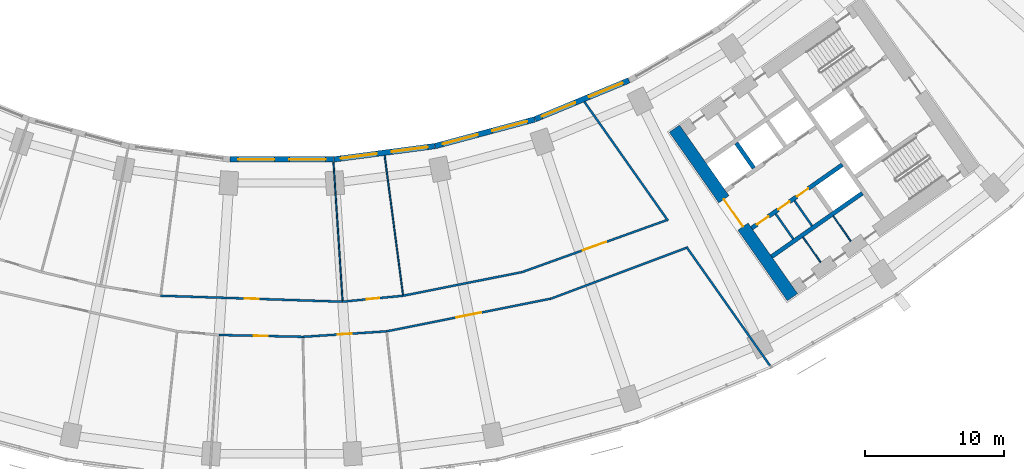
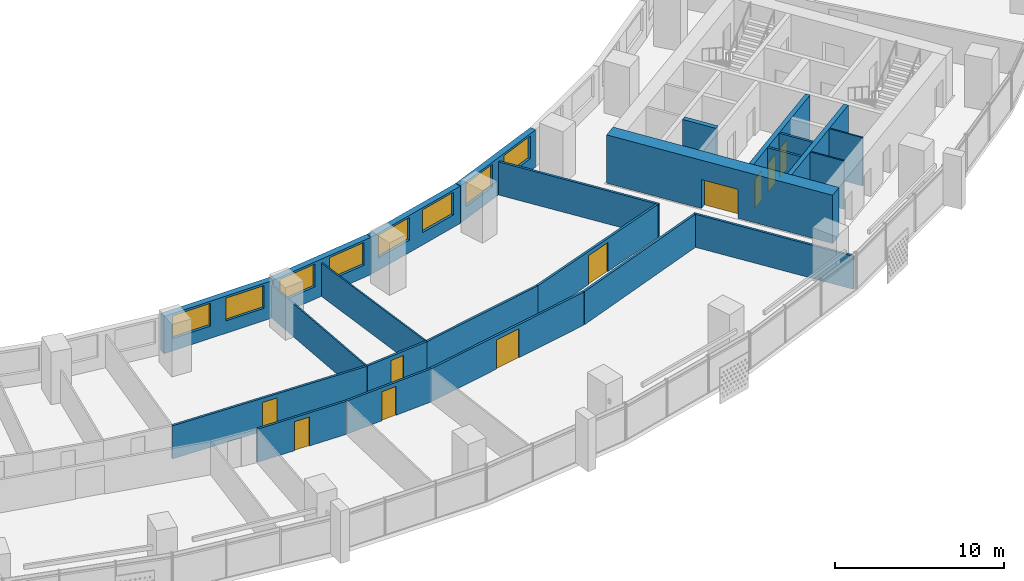
# One storey, part 6 of 30: 24 walls, 10 doors, 8 windows, 18 openings.
"""IFC4 building model written with IfcOpenShell, lengths in metres."""

from ifc_helpers import new_model, si_unit, direction, frame, frame_2d, origin, place, context, subcontext, project, spatial, rectangle, extrude, material, layer, layer_set, type_object, element, fill, save


model = new_model("IFC4")

# Units and contexts
model_context = context("Model", 3, precision=1e-05, world=origin(), true_north=direction((0.0, 1.0)))
body_context = subcontext(model_context, "Body", "Model", "MODEL_VIEW")
ifc_project = project(units=[si_unit("LENGTHUNIT", "METRE"), si_unit("AREAUNIT", "SQUARE_METRE"), si_unit("VOLUMEUNIT", "CUBIC_METRE"), si_unit("PLANEANGLEUNIT", "RADIAN"), si_unit("MASSUNIT", "GRAM", prefix="KILO")], contexts=[model_context])

# Site, building, storey
site_placement = place(None, origin())
site = spatial("IfcSite", under=ifc_project, at=site_placement, CompositionType="ELEMENT")
building_placement = place(site_placement, origin())
building = spatial("IfcBuilding", under=site, at=building_placement, Name="Qamariyya Broadcast Tower", CompositionType="ELEMENT")
storey_placement = place(building_placement, frame((0.0, 0.0, 67.10009765625)))
storey = spatial("IfcBuildingStorey", under=building, at=storey_placement, Name="L13", CompositionType="ELEMENT", Elevation=67.10009765625)

# Wall, opening, door
ifc_material_1 = material(Name="Concrete C70/85", Category="concrete")
ifc_layer_1 = layer(ifc_material_1, 0.89990234375)
ifc_layer_set_1 = layer_set([ifc_layer_1], Name="Core wall 900 mm Concrete C70/85")
wall_type_1 = type_object("IfcWallType", Name="Core wall 900 mm Concrete C70/85", PredefinedType="SHEAR", material=ifc_layer_set_1)
wall_1_placement = place(storey_placement, frame((36.716796875, -66.3369140625, 0.0), z_axis=(0.0, 0.0, 1.0), x_axis=(-0.573577477574, 0.819151315216, 0.0)))
wall_1 = element("IfcWall", 1, at=wall_1_placement, inside=storey, type_object=wall_type_1, Name="k-E-L13-WA", PredefinedType="SHEAR", context=body_context, shape_type="SweptSolid", body=[
    extrude(rectangle(XDim=14.800048828125, YDim=0.89990234375, at=frame_2d((7.39990234375, 0.0))), origin(), (0.0, 0.0, 1.0), 3.5),
])
opening_1_placement = place(wall_1_placement, frame((6.199951171875, 0.0, 0.0)))
opening_1 = element("IfcOpeningElement", 2, at=opening_1_placement, cuts=wall_1, Name="Opening KD3-E1", PredefinedType="OPENING", context=body_context, shape_type="SweptSolid", body=[
    extrude(rectangle(XDim=2.39990234375, YDim=2.10009765625, at=frame_2d((1.199951171875, 1.050048828125))), frame((0.0, 0.4599609375, 0.0), z_axis=(0.0, -1.0, 0.0), x_axis=(1.0, 0.0, 0.0)), (0.0, 0.0, 1.0), 0.919921875),
])
ifc_material_2 = material(Name="Steel fire-resisting door leaf", Category="steel")
door_type_1 = type_object("IfcDoorType", Name="Lift lobby door KD3", OperationType="DOUBLE_DOOR_SINGLE_SWING", PredefinedType="DOOR", material=ifc_material_2)
door_1_placement = place(opening_1_placement, origin())
door_1 = element("IfcDoor", 3, at=door_1_placement, inside=storey, type_object=door_type_1, Name="k-E-L13-WA-D1", OperationType="DOUBLE_DOOR_SINGLE_SWING", OverallHeight=2.10009765625, OverallWidth=2.39990234375, PredefinedType="DOOR", context=body_context, shape_type="SweptSolid", body=[
    extrude(rectangle(XDim=2.39990234375, YDim=2.10009765625, at=frame_2d((1.199951171875, 1.050048828125))), frame((0.0, 0.02490234375, 0.0), z_axis=(0.0, -1.0, 0.0), x_axis=(1.0, 0.0, 0.0)), (0.0, 0.0, 1.0), 0.050048828125),
])
fill(opening_1, door_1)

ifc_material_3 = material(Name="Gypsum board partition")
ifc_layer_2 = layer(ifc_material_3, 0.14990234375)
ifc_layer_set_2 = layer_set([ifc_layer_2], Name="Corridor partition 150 EI 60")
wall_type_2 = type_object("IfcWallType", Name="Corridor partition 150 EI 60", PredefinedType="PARTITIONING", material=ifc_layer_set_2)
wall_2_placement = place(storey_placement, frame((-8.71923828125, -66.228515625, 0.0), z_axis=(0.0, 0.0, 1.0), x_axis=(0.999464573422, -0.032719512141, 0.0)))
wall_2 = element("IfcWall", 4, at=wall_2_placement, inside=storey, type_object=wall_type_2, Name="Partition L13-016", PredefinedType="PARTITIONING", context=body_context, shape_type="SweptSolid", body=[
    extrude(rectangle(XDim=13.09521484375, YDim=0.14990234375, at=frame_2d((6.547607421875, 0.0))), origin(), (0.0, 0.0, 1.0), 2.39990234375),
])
opening_2_placement = place(wall_2_placement, frame((6.047607421875, 0.0, 0.0)))
opening_2 = element("IfcOpeningElement", 5, at=opening_2_placement, cuts=wall_2, Name="Opening L13-D12", PredefinedType="OPENING", context=body_context, shape_type="SweptSolid", body=[
    extrude(rectangle(XDim=1.0, YDim=2.10009765625, at=frame_2d((0.5, 1.050048828125))), frame((0.0, 0.0849609375, 0.0), z_axis=(0.0, -1.0, 0.0), x_axis=(1.0, 0.0, 0.0)), (0.0, 0.0, 1.0), 0.169921875),
])
ifc_material_4 = material(Name="Timber fire door leaf", Category="wood")
door_type_2 = type_object("IfcDoorType", Name="Fire door 1000 x 2100 FD60", OperationType="NOTDEFINED", PredefinedType="DOOR", material=ifc_material_4)
door_2_placement = place(opening_2_placement, origin())
door_2 = element("IfcDoor", 6, at=door_2_placement, inside=storey, type_object=door_type_2, Name="Door L13-D12", OperationType="SINGLE_SWING_RIGHT", OverallHeight=2.10009765625, OverallWidth=1.0, PredefinedType="DOOR", context=body_context, shape_type="SweptSolid", body=[
    extrude(rectangle(XDim=1.0, YDim=2.10009765625, at=frame_2d((0.5, 1.050048828125))), frame((0.0, 0.02490234375, 0.0), z_axis=(0.0, -1.0, 0.0), x_axis=(1.0, 0.0, 0.0)), (0.0, 0.0, 1.0), 0.050048828125),
])
fill(opening_2, door_2)

wall_3_placement = place(storey_placement, frame((1.511474609375, -69.18359375, 0.0), z_axis=(0.0, 0.0, 1.0), x_axis=(-0.999761664283, 0.021831505468, 0.0)))
wall_3 = element("IfcWall", 7, at=wall_3_placement, inside=storey, type_object=wall_type_2, Name="Partition L13-021", PredefinedType="PARTITIONING", context=body_context, shape_type="SweptSolid", body=[
    extrude(rectangle(XDim=6.038818359375, YDim=0.14990234375, at=frame_2d((3.01953125, 0.0))), origin(), (0.0, 0.0, 1.0), 2.39990234375),
])
opening_3_placement = place(wall_3_placement, frame((2.51953125, 0.0, 0.0)))
opening_3 = element("IfcOpeningElement", 8, at=opening_3_placement, cuts=wall_3, Name="Opening L13-D05", PredefinedType="OPENING", context=body_context, shape_type="SweptSolid", body=[
    extrude(rectangle(XDim=1.0, YDim=2.10009765625, at=frame_2d((0.5, 1.050048828125))), frame((0.0, 0.0849609375, 0.0), z_axis=(0.0, -1.0, 0.0), x_axis=(1.0, 0.0, 0.0)), (0.0, 0.0, 1.0), 0.169921875),
])
door_3_placement = place(opening_3_placement, origin())
door_3 = element("IfcDoor", 9, at=door_3_placement, inside=storey, type_object=door_type_2, Name="Door L13-D05", OperationType="SINGLE_SWING_RIGHT", OverallHeight=2.10009765625, OverallWidth=1.0, PredefinedType="DOOR", context=body_context, shape_type="SweptSolid", body=[
    extrude(rectangle(XDim=1.0, YDim=2.10009765625, at=frame_2d((0.5, 1.050048828125))), frame((0.0, 0.02490234375, 0.0), z_axis=(0.0, -1.0, 0.0), x_axis=(1.0, 0.0, 0.0)), (0.0, 0.0, 1.0), 0.050048828125),
])
fill(opening_3, door_3)

wall_4_placement = place(storey_placement, frame((7.53173828125, -68.788818359375, 0.0), z_axis=(0.0, 0.0, 1.0), x_axis=(-0.997856905736, -0.065433903101, 0.0)))
wall_4 = element("IfcWall", 10, at=wall_4_placement, inside=storey, type_object=wall_type_2, Name="Partition L13-022", PredefinedType="PARTITIONING", context=body_context, shape_type="SweptSolid", body=[
    extrude(rectangle(XDim=6.033203125, YDim=0.14990234375, at=frame_2d((3.0166015625, 0.0))), origin(), (0.0, 0.0, 1.0), 2.39990234375),
])
opening_4_placement = place(wall_4_placement, frame((2.5166015625, 0.0, 0.0)))
opening_4 = element("IfcOpeningElement", 11, at=opening_4_placement, cuts=wall_4, Name="Opening L13-D06", PredefinedType="OPENING", context=body_context, shape_type="SweptSolid", body=[
    extrude(rectangle(XDim=1.0, YDim=2.10009765625, at=frame_2d((0.5, 1.050048828125))), frame((0.0, 0.0849609375, 0.0), z_axis=(0.0, -1.0, 0.0), x_axis=(1.0, 0.0, 0.0)), (0.0, 0.0, 1.0), 0.169921875),
])
door_4_placement = place(opening_4_placement, origin())
door_4 = element("IfcDoor", 12, at=door_4_placement, inside=storey, type_object=door_type_2, Name="Door L13-D06", OperationType="SINGLE_SWING_RIGHT", OverallHeight=2.10009765625, OverallWidth=1.0, PredefinedType="DOOR", context=body_context, shape_type="SweptSolid", body=[
    extrude(rectangle(XDim=1.0, YDim=2.10009765625, at=frame_2d((0.5, 1.050048828125))), frame((0.0, 0.02490234375, 0.0), z_axis=(0.0, -1.0, 0.0), x_axis=(1.0, 0.0, 0.0)), (0.0, 0.0, 1.0), 0.050048828125),
])
fill(opening_4, door_4)

wall_5_placement = place(storey_placement, frame((4.368896484375, -66.656982421875, 0.0), z_axis=(0.0, 0.0, 1.0), x_axis=(0.995184826457, 0.098016127192, 0.0)))
wall_5 = element("IfcWall", 13, at=wall_5_placement, inside=storey, type_object=wall_type_2, Name="Partition L13-025", PredefinedType="PARTITIONING", context=body_context, shape_type="SweptSolid", body=[
    extrude(rectangle(XDim=4.371337890625, YDim=0.14990234375, at=frame_2d((2.185546875, 0.0))), origin(), (0.0, 0.0, 1.0), 2.39990234375),
])
opening_5_placement = place(wall_5_placement, frame((1.735595703125, 0.0, 0.0)))
opening_5 = element("IfcOpeningElement", 14, at=opening_5_placement, cuts=wall_5, Name="Opening L13-D13", PredefinedType="OPENING", context=body_context, shape_type="SweptSolid", body=[
    extrude(rectangle(XDim=0.89990234375, YDim=2.10009765625, at=frame_2d((0.449951171875, 1.050048828125))), frame((0.0, 0.0849609375, 0.0), z_axis=(0.0, -1.0, 0.0), x_axis=(1.0, 0.0, 0.0)), (0.0, 0.0, 1.0), 0.169921875),
])
door_type_3 = type_object("IfcDoorType", Name="Fire door 900 x 2100 FD60", OperationType="NOTDEFINED", PredefinedType="DOOR", material=ifc_material_4)
door_5_placement = place(opening_5_placement, origin())
door_5 = element("IfcDoor", 15, at=door_5_placement, inside=storey, type_object=door_type_3, Name="Door L13-D13", OperationType="SINGLE_SWING_RIGHT", OverallHeight=2.10009765625, OverallWidth=0.89990234375, PredefinedType="DOOR", context=body_context, shape_type="SweptSolid", body=[
    extrude(rectangle(XDim=0.89990234375, YDim=2.10009765625, at=frame_2d((0.449951171875, 1.050048828125))), frame((0.0, 0.02490234375, 0.0), z_axis=(0.0, -1.0, 0.0), x_axis=(1.0, 0.0, 0.0)), (0.0, 0.0, 1.0), 0.050048828125),
])
fill(opening_5, door_5)

wall_6_placement = place(storey_placement, frame((19.357177734375, -66.436767578125, 0.0), z_axis=(0.0, 0.0, 1.0), x_axis=(-0.980788063455, -0.195076330147, 0.0)))
wall_6 = element("IfcWall", 16, at=wall_6_placement, inside=storey, type_object=wall_type_2, Name="Partition L13-027", PredefinedType="PARTITIONING", context=body_context, shape_type="SweptSolid", body=[
    extrude(rectangle(XDim=12.05712890625, YDim=0.14990234375, at=frame_2d((6.028564453125, 0.0))), origin(), (0.0, 0.0, 1.0), 2.39990234375),
])
opening_6_placement = place(wall_6_placement, frame((5.12841796875, 0.0, 0.0)))
opening_6 = element("IfcOpeningElement", 17, at=opening_6_placement, cuts=wall_6, Name="Opening L13-D07", PredefinedType="OPENING", context=body_context, shape_type="SweptSolid", body=[
    extrude(rectangle(XDim=1.800048828125, YDim=2.10009765625, at=frame_2d((0.89990234375, 1.050048828125))), frame((0.0, 0.0849609375, 0.0), z_axis=(0.0, -1.0, 0.0), x_axis=(1.0, 0.0, 0.0)), (0.0, 0.0, 1.0), 0.169921875),
])
door_type_4 = type_object("IfcDoorType", Name="Double fire door 1800 x 2100 FD60", OperationType="NOTDEFINED", PredefinedType="DOOR", material=ifc_material_4)
door_6_placement = place(opening_6_placement, origin())
door_6 = element("IfcDoor", 18, at=door_6_placement, inside=storey, type_object=door_type_4, Name="Door L13-D07", OperationType="DOUBLE_DOOR_SINGLE_SWING", OverallHeight=2.10009765625, OverallWidth=1.800048828125, PredefinedType="DOOR", context=body_context, shape_type="SweptSolid", body=[
    extrude(rectangle(XDim=1.800048828125, YDim=2.10009765625, at=frame_2d((0.89990234375, 1.050048828125))), frame((0.0, 0.02490234375, 0.0), z_axis=(0.0, -1.0, 0.0), x_axis=(1.0, 0.0, 0.0)), (0.0, 0.0, 1.0), 0.050048828125),
])
fill(opening_6, door_6)

# Wall
wall_7_placement = place(storey_placement, frame((8.71923828125, -66.228515625, 0.0), z_axis=(0.0, 0.0, 1.0), x_axis=(0.980787736115, 0.195077975915, 0.0)))
element("IfcWall", 19, at=wall_7_placement, inside=storey, type_object=wall_type_2, Name="Partition L13-029", PredefinedType="PARTITIONING", context=body_context, shape_type="SweptSolid", body=[
    extrude(rectangle(XDim=8.729248046875, YDim=0.14990234375, at=frame_2d((4.36474609375, 0.0))), origin(), (0.0, 0.0, 1.0), 2.39990234375),
])

# Wall, opening, door
wall_8_placement = place(storey_placement, frame((17.297119140625, -64.52099609375, 0.0), z_axis=(0.0, 0.0, 1.0), x_axis=(0.941107470704, 0.338107569546, 0.0)))
wall_8 = element("IfcWall", 20, at=wall_8_placement, inside=storey, type_object=wall_type_2, Name="Partition L13-030", PredefinedType="PARTITIONING", context=body_context, shape_type="SweptSolid", body=[
    extrude(rectangle(XDim=11.00732421875, YDim=0.14990234375, at=frame_2d((5.503662109375, 0.0))), origin(), (0.0, 0.0, 1.0), 2.39990234375),
])
opening_7_placement = place(wall_8_placement, frame((4.603759765625, 0.0, 0.0)))
opening_7 = element("IfcOpeningElement", 21, at=opening_7_placement, cuts=wall_8, Name="Opening L13-D14", PredefinedType="OPENING", context=body_context, shape_type="SweptSolid", body=[
    extrude(rectangle(XDim=1.800048828125, YDim=2.10009765625, at=frame_2d((0.89990234375, 1.050048828125))), frame((0.0, 0.0849609375, 0.0), z_axis=(0.0, -1.0, 0.0), x_axis=(1.0, 0.0, 0.0)), (0.0, 0.0, 1.0), 0.169921875),
])
door_7_placement = place(opening_7_placement, origin())
door_7 = element("IfcDoor", 22, at=door_7_placement, inside=storey, type_object=door_type_4, Name="Door L13-D14", OperationType="DOUBLE_DOOR_SINGLE_SWING", OverallHeight=2.10009765625, OverallWidth=1.800048828125, PredefinedType="DOOR", context=body_context, shape_type="SweptSolid", body=[
    extrude(rectangle(XDim=1.800048828125, YDim=2.10009765625, at=frame_2d((0.89990234375, 1.050048828125))), frame((0.0, 0.02490234375, 0.0), z_axis=(0.0, -1.0, 0.0), x_axis=(1.0, 0.0, 0.0)), (0.0, 0.0, 1.0), 0.050048828125),
])
fill(opening_7, door_7)

# Walls
wall_9_placement = place(storey_placement, frame((19.37451171875, -66.431640625, 0.0), z_axis=(0.0, 0.0, 1.0), x_axis=(0.936221491251, 0.351410471272, 0.0)))
element("IfcWall", 23, at=wall_9_placement, inside=storey, type_object=wall_type_2, Name="Partition L13-031", PredefinedType="PARTITIONING", context=body_context, shape_type="SweptSolid", body=[
    extrude(rectangle(XDim=10.34619140625, YDim=0.14990234375, at=frame_2d((5.173095703125, 0.0))), origin(), (0.0, 0.0, 1.0), 2.39990234375),
])
wall_10_placement = place(storey_placement, frame((21.748291015625, -52.2763671875, 0.0), z_axis=(0.0, 0.0, 1.0), x_axis=(0.575419434668, -0.817858468322, 0.0)))
element("IfcWall", 24, at=wall_10_placement, inside=storey, type_object=wall_type_2, Name="Partition L13-032", PredefinedType="PARTITIONING", context=body_context, shape_type="SweptSolid", body=[
    extrude(rectangle(XDim=10.46484375, YDim=0.14990234375, at=frame_2d((5.232421875, 0.0))), origin(), (0.0, 0.0, 1.0), 2.39990234375),
])
wall_11_placement = place(storey_placement, frame((29.087890625, -62.708251953125, 0.0), z_axis=(0.0, 0.0, 1.0), x_axis=(0.575411972256, -0.817863718589, 0.0)))
element("IfcWall", 25, at=wall_11_placement, inside=storey, type_object=wall_type_2, Name="Partition L13-033", PredefinedType="PARTITIONING", context=body_context, shape_type="SweptSolid", body=[
    extrude(rectangle(XDim=10.471435546875, YDim=0.14990234375, at=frame_2d((5.23583984375, 0.0))), origin(), (0.0, 0.0, 1.0), 2.39990234375),
])
ifc_material_5 = material(Name="Gypsum board partition on steel studs", Category="steel")
ifc_layer_3 = layer(ifc_material_5, 0.14990234375)
ifc_layer_set_3 = layer_set([ifc_layer_3], Name="Gypsum board partition 150 mm")
wall_type_3 = type_object("IfcWallType", Name="Gypsum board partition 150 mm", PredefinedType="PARTITIONING", material=ifc_layer_set_3)
for number, where, z_axis, x_axis, name in (
    (26, (35.51171875, -60.344482421875, 0.0), (0.0, 0.0, 1.0), (0.573633636671, -0.819111989218, 0.0), "k-E-L13-SC200"),
    (27, (36.86328125, -59.398193359375, 0.0), (0.0, 0.0, 1.0), (0.573633636671, -0.819111989218, 0.0), "k-E-L13-SC365"),
):
    element("IfcWall", number, at=place(storey_placement, frame(where, z_axis=z_axis, x_axis=x_axis)), inside=storey, type_object=wall_type_3, Name=name, PredefinedType="PARTITIONING", context=body_context, shape_type="SweptSolid", body=[
        extrude(rectangle(XDim=2.199951171875, YDim=0.14990234375, at=frame_2d((1.10009765625, 0.0))), origin(), (0.0, 0.0, 1.0), 3.5),
    ])
ifc_material_6 = material(Name="Concrete C60/75", Category="concrete")
ifc_layer_4 = layer(ifc_material_6, 0.300048828125)
ifc_layer_set_4 = layer_set([ifc_layer_4], Name="Lift shaft wall 300 mm Concrete C60/75")
wall_type_4 = type_object("IfcWallType", Name="Lift shaft wall 300 mm Concrete C60/75", PredefinedType="SOLIDWALL", material=ifc_layer_set_4)
wall_12_placement = place(storey_placement, frame((33.9384765625, -57.051513671875, 0.0), z_axis=(0.0, 0.0, 1.0), x_axis=(-0.573581496053, 0.819148501424, 0.0)))
element("IfcWall", 28, at=wall_12_placement, inside=storey, type_object=wall_type_4, Name="k-E-L13-ND0", PredefinedType="SOLIDWALL", context=body_context, shape_type="SweptSolid", body=[
    extrude(rectangle(XDim=2.2001953125, YDim=0.300048828125, at=frame_2d((1.10009765625, 0.0))), origin(), (0.0, 0.0, 1.0), 3.5),
])

# Wall, openings, doors
wall_13_placement = place(storey_placement, frame((33.787353515625, -61.368896484375, 0.0), z_axis=(0.0, 0.0, 1.0), x_axis=(0.819152564888, 0.573575692858, 0.0)))
wall_13 = element("IfcWall", 29, at=wall_13_placement, inside=storey, type_object=wall_type_4, Name="k-E-L13-SF0", PredefinedType="SOLIDWALL", context=body_context, shape_type="SweptSolid", body=[
    extrude(rectangle(XDim=7.9501953125, YDim=0.300048828125, at=frame_2d((3.97509765625, 0.0))), origin(), (0.0, 0.0, 1.0), 3.5),
])
opening_8_placement = place(wall_13_placement, frame((0.46240234375, 0.0, 0.0)))
opening_8 = element("IfcOpeningElement", 30, at=opening_8_placement, cuts=wall_13, Name="Opening KD6-E1", PredefinedType="OPENING", context=body_context, shape_type="SweptSolid", body=[
    extrude(rectangle(XDim=1.0, YDim=2.10009765625, at=frame_2d((0.5, 1.050048828125))), frame((0.0, 0.159912109375, 0.0), z_axis=(0.0, -1.0, 0.0), x_axis=(1.0, 0.0, 0.0)), (0.0, 0.0, 1.0), 0.320068359375),
])
opening_9_placement = place(wall_13_placement, frame((2.324951171875, 0.0, 0.0)))
opening_9 = element("IfcOpeningElement", 31, at=opening_9_placement, cuts=wall_13, Name="Opening KD4-E1", PredefinedType="OPENING", context=body_context, shape_type="SweptSolid", body=[
    extrude(rectangle(XDim=1.0, YDim=2.10009765625, at=frame_2d((0.5, 1.050048828125))), frame((0.0, 0.159912109375, 0.0), z_axis=(0.0, -1.0, 0.0), x_axis=(1.0, 0.0, 0.0)), (0.0, 0.0, 1.0), 0.320068359375),
])
opening_10_placement = place(wall_13_placement, frame((3.96240234375, 0.0, 0.0)))
opening_10 = element("IfcOpeningElement", 32, at=opening_10_placement, cuts=wall_13, Name="Opening KD6-E2", PredefinedType="OPENING", context=body_context, shape_type="SweptSolid", body=[
    extrude(rectangle(XDim=1.0, YDim=2.10009765625, at=frame_2d((0.5, 1.050048828125))), frame((0.0, 0.159912109375, 0.0), z_axis=(0.0, -1.0, 0.0), x_axis=(1.0, 0.0, 0.0)), (0.0, 0.0, 1.0), 0.320068359375),
])
door_type_5 = type_object("IfcDoorType", Name="Core room door KD6", OperationType="SINGLE_SWING_LEFT", PredefinedType="DOOR", material=ifc_material_2)
door_8_placement = place(opening_8_placement, origin())
door_8 = element("IfcDoor", 33, at=door_8_placement, inside=storey, type_object=door_type_5, Name="k-E-L13-SF0-D5", OperationType="SINGLE_SWING_LEFT", OverallHeight=2.10009765625, OverallWidth=1.0, PredefinedType="DOOR", context=body_context, shape_type="SweptSolid", body=[
    extrude(rectangle(XDim=1.0, YDim=2.10009765625, at=frame_2d((0.5, 1.050048828125))), frame((0.0, 0.02490234375, 0.0), z_axis=(0.0, -1.0, 0.0), x_axis=(1.0, 0.0, 0.0)), (0.0, 0.0, 1.0), 0.050048828125),
])
fill(opening_8, door_8)
door_9_placement = place(opening_10_placement, origin())
door_9 = element("IfcDoor", 34, at=door_9_placement, inside=storey, type_object=door_type_5, Name="k-E-L13-SF0-D7", OperationType="SINGLE_SWING_LEFT", OverallHeight=2.10009765625, OverallWidth=1.0, PredefinedType="DOOR", context=body_context, shape_type="SweptSolid", body=[
    extrude(rectangle(XDim=1.0, YDim=2.10009765625, at=frame_2d((0.5, 1.050048828125))), frame((0.0, 0.02490234375, 0.0), z_axis=(0.0, -1.0, 0.0), x_axis=(1.0, 0.0, 0.0)), (0.0, 0.0, 1.0), 0.050048828125),
])
fill(opening_10, door_9)
door_type_6 = type_object("IfcDoorType", Name="Riser and plant door KD4", OperationType="SINGLE_SWING_LEFT", PredefinedType="DOOR", material=ifc_material_2)
door_10_placement = place(opening_9_placement, origin())
door_10 = element("IfcDoor", 35, at=door_10_placement, inside=storey, type_object=door_type_6, Name="k-E-L13-SF0-D6", OperationType="SINGLE_SWING_RIGHT", OverallHeight=2.10009765625, OverallWidth=1.0, PredefinedType="DOOR", context=body_context, shape_type="SweptSolid", body=[
    extrude(rectangle(XDim=1.0, YDim=2.10009765625, at=frame_2d((0.5, 1.050048828125))), frame((0.0, 0.02490234375, 0.0), z_axis=(0.0, -1.0, 0.0), x_axis=(1.0, 0.0, 0.0)), (0.0, 0.0, 1.0), 0.050048828125),
])
fill(opening_9, door_10)

# Walls
wall_14_placement = place(storey_placement, frame((35.22119140625, -63.41650390625, 0.0), z_axis=(0.0, 0.0, 1.0), x_axis=(0.819166993208, 0.573555086491, 0.0)))
element("IfcWall", 36, at=wall_14_placement, inside=storey, type_object=wall_type_4, Name="k-E-L13-SB0", PredefinedType="SOLIDWALL", context=body_context, shape_type="SweptSolid", body=[
    extrude(rectangle(XDim=7.9501953125, YDim=0.300048828125, at=frame_2d((3.97509765625, 0.0))), origin(), (0.0, 0.0, 1.0), 3.5),
])
ifc_layer_5 = layer(ifc_material_3, 0.10009765625)
ifc_layer_set_5 = layer_set([ifc_layer_5], Name="Partition 100")
wall_type_5 = type_object("IfcWallType", Name="Partition 100", PredefinedType="PARTITIONING", material=ifc_layer_set_5)
wall_15_placement = place(storey_placement, frame((3.711669921875, -56.62841796875, 0.0), z_axis=(0.0, 0.0, 1.0), x_axis=(0.06539808502, -0.997859253841, 0.0)))
element("IfcWall", 37, at=wall_15_placement, inside=storey, type_object=wall_type_5, Name="Partition L13-024", PredefinedType="PARTITIONING", context=body_context, shape_type="SweptSolid", body=[
    extrude(rectangle(XDim=9.974853515625, YDim=0.10009765625, at=frame_2d((4.9873046875, 0.0))), origin(), (0.0, 0.0, 1.0), 2.39990234375),
])
wall_16_placement = place(storey_placement, frame((7.3916015625, -56.144775390625, 0.0), z_axis=(0.0, 0.0, 1.0), x_axis=(0.130538336764, -0.991443262439, 0.0)))
element("IfcWall", 38, at=wall_16_placement, inside=storey, type_object=wall_type_5, Name="Partition L13-026", PredefinedType="PARTITIONING", context=body_context, shape_type="SweptSolid", body=[
    extrude(rectangle(XDim=10.095703125, YDim=0.10009765625, at=frame_2d((5.0478515625, 0.0))), origin(), (0.0, 0.0, 1.0), 2.39990234375),
])
ifc_material_7 = material(Name="Fire-rated gypsum shaft liner on steel studs", Category="steel")
ifc_layer_6 = layer(ifc_material_7, 0.10009765625)
ifc_layer_set_6 = layer_set([ifc_layer_6], Name="Riser wall 100 mm")
wall_type_6 = type_object("IfcWallType", Name="Riser wall 100 mm", PredefinedType="PLUMBINGWALL", material=ifc_layer_set_6)
wall_17_placement = place(storey_placement, frame((37.47802734375, -62.01953125, 0.0), z_axis=(0.0, 0.0, 1.0), x_axis=(0.573581496053, -0.819148501424, 0.0)))
element("IfcWall", 39, at=wall_17_placement, inside=storey, type_object=wall_type_6, Name="k-E-L13-SP265", PredefinedType="PLUMBINGWALL", context=body_context, shape_type="SweptSolid", body=[
    extrude(rectangle(XDim=2.2001953125, YDim=0.10009765625, at=frame_2d((1.10009765625, 0.0))), origin(), (0.0, 0.0, 1.0), 3.5),
])
wall_18_placement = place(storey_placement, frame((39.64892578125, -60.49951171875, 0.0), z_axis=(0.0, 0.0, 1.0), x_axis=(0.573507030513, -0.819200638399, 0.0)))
element("IfcWall", 40, at=wall_18_placement, inside=storey, type_object=wall_type_6, Name="k-E-L13-SP530", PredefinedType="PLUMBINGWALL", context=body_context, shape_type="SweptSolid", body=[
    extrude(rectangle(XDim=2.199951171875, YDim=0.10009765625, at=frame_2d((1.10009765625, 0.0))), origin(), (0.0, 0.0, 1.0), 3.5),
])

# Wall, openings, windows
ifc_material_8 = material(Name="Terracotta", Category="masonry")
ifc_layer_7 = layer(ifc_material_8, 0.39990234375)
ifc_layer_set_7 = layer_set([ifc_layer_7], Name="Terracotta clad wall 400")
wall_type_7 = type_object("IfcWallType", Name="Terracotta clad wall 400", PredefinedType="SOLIDWALL", material=ifc_layer_set_7)
wall_19_placement = place(storey_placement, frame((18.20166015625, -53.542724609375, 0.0), z_axis=(0.0, 0.0, 1.0), x_axis=(-0.965924637935, -0.25882348006, 0.0)))
wall_19 = element("IfcWall", 41, at=wall_19_placement, inside=storey, type_object=wall_type_7, Name="e-wl-L13-in100", PredefinedType="SOLIDWALL", context=body_context, shape_type="SweptSolid", body=[
    extrude(rectangle(XDim=7.447021484375, YDim=0.39990234375, at=frame_2d((3.7236328125, 0.0))), origin(), (0.0, 0.0, 1.0), 2.699951171875),
])
opening_11_placement = place(wall_19_placement, frame((4.266357421875, 0.0, 0.89990234375)))
opening_11 = element("IfcOpeningElement", 42, at=opening_11_placement, cuts=wall_19, Name="Opening W1", PredefinedType="OPENING", context=body_context, shape_type="SweptSolid", body=[
    extrude(rectangle(XDim=2.60009765625, YDim=1.64990234375, at=frame_2d((1.300048828125, 0.824951171875))), frame((0.0, 0.2099609375, 0.0), z_axis=(0.0, -1.0, 0.0), x_axis=(1.0, 0.0, 0.0)), (0.0, 0.0, 1.0), 0.419921875),
])
opening_12_placement = place(wall_19_placement, frame((0.580810546875, 0.0, 0.89990234375)))
opening_12 = element("IfcOpeningElement", 43, at=opening_12_placement, cuts=wall_19, Name="Opening W1", PredefinedType="OPENING", context=body_context, shape_type="SweptSolid", body=[
    extrude(rectangle(XDim=2.60009765625, YDim=1.64990234375, at=frame_2d((1.300048828125, 0.824951171875))), frame((0.0, 0.2099609375, 0.0), z_axis=(0.0, -1.0, 0.0), x_axis=(1.0, 0.0, 0.0)), (0.0, 0.0, 1.0), 0.419921875),
])
ifc_material_9 = material(Name="Clear low-e double glazed unit in aluminium frame", Category="aluminium")
window_type = type_object("IfcWindowType", Name="Ribbon window 2600 x 1650", PartitioningType="SINGLE_PANEL", PredefinedType="WINDOW", material=ifc_material_9)
window_1_placement = place(opening_11_placement, origin())
window_1 = element("IfcWindow", 44, at=window_1_placement, inside=storey, type_object=window_type, Name="e-w-L13-in10-0", OverallHeight=1.64990234375, OverallWidth=2.60009765625, PartitioningType="SINGLE_PANEL", PredefinedType="WINDOW", context=body_context, shape_type="SweptSolid", body=[
    extrude(rectangle(XDim=2.60009765625, YDim=1.64990234375, at=frame_2d((1.300048828125, 0.824951171875))), frame((0.0, 0.030029296875, 0.0), z_axis=(0.0, -1.0, 0.0), x_axis=(1.0, 0.0, 0.0)), (0.0, 0.0, 1.0), 0.06005859375),
])
fill(opening_11, window_1)
window_2_placement = place(opening_12_placement, origin())
window_2 = element("IfcWindow", 45, at=window_2_placement, inside=storey, type_object=window_type, Name="e-w-L13-in10-1", OverallHeight=1.64990234375, OverallWidth=2.60009765625, PartitioningType="SINGLE_PANEL", PredefinedType="WINDOW", context=body_context, shape_type="SweptSolid", body=[
    extrude(rectangle(XDim=2.60009765625, YDim=1.64990234375, at=frame_2d((1.300048828125, 0.824951171875))), frame((0.0, 0.030029296875, 0.0), z_axis=(0.0, -1.0, 0.0), x_axis=(1.0, 0.0, 0.0)), (0.0, 0.0, 1.0), 0.06005859375),
])
fill(opening_12, window_2)

wall_20_placement = place(storey_placement, frame((24.96484375, -50.738037109375, 0.0), z_axis=(0.0, 0.0, 1.0), x_axis=(-0.923891626322, -0.382654234018, 0.0)))
wall_20 = element("IfcWall", 46, at=wall_20_placement, inside=storey, type_object=wall_type_7, Name="e-wl-L13-in110", PredefinedType="SOLIDWALL", context=body_context, shape_type="SweptSolid", body=[
    extrude(rectangle(XDim=7.295654296875, YDim=0.39990234375, at=frame_2d((3.64794921875, 0.0))), origin(), (0.0, 0.0, 1.0), 2.699951171875),
])
opening_13_placement = place(wall_20_placement, frame((4.190673828125, 0.0, 0.89990234375)))
opening_13 = element("IfcOpeningElement", 47, at=opening_13_placement, cuts=wall_20, Name="Opening W1", PredefinedType="OPENING", context=body_context, shape_type="SweptSolid", body=[
    extrude(rectangle(XDim=2.60009765625, YDim=1.64990234375, at=frame_2d((1.300048828125, 0.824951171875))), frame((0.0, 0.2099609375, 0.0), z_axis=(0.0, -1.0, 0.0), x_axis=(1.0, 0.0, 0.0)), (0.0, 0.0, 1.0), 0.419921875),
])
opening_14_placement = place(wall_20_placement, frame((0.505126953125, 0.0, 0.89990234375)))
opening_14 = element("IfcOpeningElement", 48, at=opening_14_placement, cuts=wall_20, Name="Opening W1", PredefinedType="OPENING", context=body_context, shape_type="SweptSolid", body=[
    extrude(rectangle(XDim=2.60009765625, YDim=1.64990234375, at=frame_2d((1.300048828125, 0.824951171875))), frame((0.0, 0.2099609375, 0.0), z_axis=(0.0, -1.0, 0.0), x_axis=(1.0, 0.0, 0.0)), (0.0, 0.0, 1.0), 0.419921875),
])
window_3_placement = place(opening_13_placement, origin())
window_3 = element("IfcWindow", 49, at=window_3_placement, inside=storey, type_object=window_type, Name="e-w-L13-in11-0", OverallHeight=1.64990234375, OverallWidth=2.60009765625, PartitioningType="SINGLE_PANEL", PredefinedType="WINDOW", context=body_context, shape_type="SweptSolid", body=[
    extrude(rectangle(XDim=2.60009765625, YDim=1.64990234375, at=frame_2d((1.300048828125, 0.824951171875))), frame((0.0, 0.030029296875, 0.0), z_axis=(0.0, -1.0, 0.0), x_axis=(1.0, 0.0, 0.0)), (0.0, 0.0, 1.0), 0.06005859375),
])
fill(opening_13, window_3)
window_4_placement = place(opening_14_placement, origin())
window_4 = element("IfcWindow", 50, at=window_4_placement, inside=storey, type_object=window_type, Name="e-w-L13-in11-1", OverallHeight=1.64990234375, OverallWidth=2.60009765625, PartitioningType="SINGLE_PANEL", PredefinedType="WINDOW", context=body_context, shape_type="SweptSolid", body=[
    extrude(rectangle(XDim=2.60009765625, YDim=1.64990234375, at=frame_2d((1.300048828125, 0.824951171875))), frame((0.0, 0.030029296875, 0.0), z_axis=(0.0, -1.0, 0.0), x_axis=(1.0, 0.0, 0.0)), (0.0, 0.0, 1.0), 0.06005859375),
])
fill(opening_14, window_4)

wall_21_placement = place(storey_placement, frame((3.7236328125, -56.429443359375, 0.0), z_axis=(0.0, 0.0, 1.0), x_axis=(-1.0, 0.0, 0.0)))
wall_21 = element("IfcWall", 51, at=wall_21_placement, inside=storey, type_object=wall_type_7, Name="e-wl-L13-in80", PredefinedType="SOLIDWALL", context=body_context, shape_type="SweptSolid", body=[
    extrude(rectangle(XDim=7.447265625, YDim=0.39990234375, at=frame_2d((3.7236328125, 0.0))), origin(), (0.0, 0.0, 1.0), 2.699951171875),
])
opening_15_placement = place(wall_21_placement, frame((4.266357421875, 0.0, 0.89990234375)))
opening_15 = element("IfcOpeningElement", 52, at=opening_15_placement, cuts=wall_21, Name="Opening W1", PredefinedType="OPENING", context=body_context, shape_type="SweptSolid", body=[
    extrude(rectangle(XDim=2.60009765625, YDim=1.64990234375, at=frame_2d((1.300048828125, 0.824951171875))), frame((0.0, 0.2099609375, 0.0), z_axis=(0.0, -1.0, 0.0), x_axis=(1.0, 0.0, 0.0)), (0.0, 0.0, 1.0), 0.419921875),
])
opening_16_placement = place(wall_21_placement, frame((0.580810546875, 0.0, 0.89990234375)))
opening_16 = element("IfcOpeningElement", 53, at=opening_16_placement, cuts=wall_21, Name="Opening W1", PredefinedType="OPENING", context=body_context, shape_type="SweptSolid", body=[
    extrude(rectangle(XDim=2.60009765625, YDim=1.64990234375, at=frame_2d((1.300048828125, 0.824951171875))), frame((0.0, 0.2099609375, 0.0), z_axis=(0.0, -1.0, 0.0), x_axis=(1.0, 0.0, 0.0)), (0.0, 0.0, 1.0), 0.419921875),
])
window_5_placement = place(opening_15_placement, origin())
window_5 = element("IfcWindow", 54, at=window_5_placement, inside=storey, type_object=window_type, Name="e-w-L13-in08-0", OverallHeight=1.64990234375, OverallWidth=2.60009765625, PartitioningType="SINGLE_PANEL", PredefinedType="WINDOW", context=body_context, shape_type="SweptSolid", body=[
    extrude(rectangle(XDim=2.60009765625, YDim=1.64990234375, at=frame_2d((1.300048828125, 0.824951171875))), frame((0.0, 0.030029296875, 0.0), z_axis=(0.0, -1.0, 0.0), x_axis=(1.0, 0.0, 0.0)), (0.0, 0.0, 1.0), 0.06005859375),
])
fill(opening_15, window_5)
window_6_placement = place(opening_16_placement, origin())
window_6 = element("IfcWindow", 55, at=window_6_placement, inside=storey, type_object=window_type, Name="e-w-L13-in08-1", OverallHeight=1.64990234375, OverallWidth=2.60009765625, PartitioningType="SINGLE_PANEL", PredefinedType="WINDOW", context=body_context, shape_type="SweptSolid", body=[
    extrude(rectangle(XDim=2.60009765625, YDim=1.64990234375, at=frame_2d((1.300048828125, 0.824951171875))), frame((0.0, 0.030029296875, 0.0), z_axis=(0.0, -1.0, 0.0), x_axis=(1.0, 0.0, 0.0)), (0.0, 0.0, 1.0), 0.06005859375),
])
fill(opening_16, window_6)

wall_22_placement = place(storey_placement, frame((10.982177734375, -55.470458984375, 0.0), z_axis=(0.0, 0.0, 1.0), x_axis=(-0.99144746031, -0.130506449818, 0.0)))
wall_22 = element("IfcWall", 56, at=wall_22_placement, inside=storey, type_object=wall_type_7, Name="e-wl-L13-in90", PredefinedType="SOLIDWALL", context=body_context, shape_type="SweptSolid", body=[
    extrude(rectangle(XDim=7.2958984375, YDim=0.39990234375, at=frame_2d((3.64794921875, 0.0))), origin(), (0.0, 0.0, 1.0), 2.699951171875),
])
opening_17_placement = place(wall_22_placement, frame((4.190673828125, 0.0, 0.89990234375)))
opening_17 = element("IfcOpeningElement", 57, at=opening_17_placement, cuts=wall_22, Name="Opening W1", PredefinedType="OPENING", context=body_context, shape_type="SweptSolid", body=[
    extrude(rectangle(XDim=2.60009765625, YDim=1.64990234375, at=frame_2d((1.300048828125, 0.824951171875))), frame((0.0, 0.2099609375, 0.0), z_axis=(0.0, -1.0, 0.0), x_axis=(1.0, 0.0, 0.0)), (0.0, 0.0, 1.0), 0.419921875),
])
opening_18_placement = place(wall_22_placement, frame((0.505126953125, 0.0, 0.89990234375)))
opening_18 = element("IfcOpeningElement", 58, at=opening_18_placement, cuts=wall_22, Name="Opening W1", PredefinedType="OPENING", context=body_context, shape_type="SweptSolid", body=[
    extrude(rectangle(XDim=2.60009765625, YDim=1.64990234375, at=frame_2d((1.300048828125, 0.824951171875))), frame((0.0, 0.2099609375, 0.0), z_axis=(0.0, -1.0, 0.0), x_axis=(1.0, 0.0, 0.0)), (0.0, 0.0, 1.0), 0.419921875),
])
window_7_placement = place(opening_17_placement, origin())
window_7 = element("IfcWindow", 59, at=window_7_placement, inside=storey, type_object=window_type, Name="e-w-L13-in09-0", OverallHeight=1.64990234375, OverallWidth=2.60009765625, PartitioningType="SINGLE_PANEL", PredefinedType="WINDOW", context=body_context, shape_type="SweptSolid", body=[
    extrude(rectangle(XDim=2.60009765625, YDim=1.64990234375, at=frame_2d((1.300048828125, 0.824951171875))), frame((0.0, 0.030029296875, 0.0), z_axis=(0.0, -1.0, 0.0), x_axis=(1.0, 0.0, 0.0)), (0.0, 0.0, 1.0), 0.06005859375),
])
fill(opening_17, window_7)
window_8_placement = place(opening_18_placement, origin())
window_8 = element("IfcWindow", 60, at=window_8_placement, inside=storey, type_object=window_type, Name="e-w-L13-in09-1", OverallHeight=1.64990234375, OverallWidth=2.60009765625, PartitioningType="SINGLE_PANEL", PredefinedType="WINDOW", context=body_context, shape_type="SweptSolid", body=[
    extrude(rectangle(XDim=2.60009765625, YDim=1.64990234375, at=frame_2d((1.300048828125, 0.824951171875))), frame((0.0, 0.030029296875, 0.0), z_axis=(0.0, -1.0, 0.0), x_axis=(1.0, 0.0, 0.0)), (0.0, 0.0, 1.0), 0.06005859375),
])
fill(opening_18, window_8)

save(model, "model.ifc")
